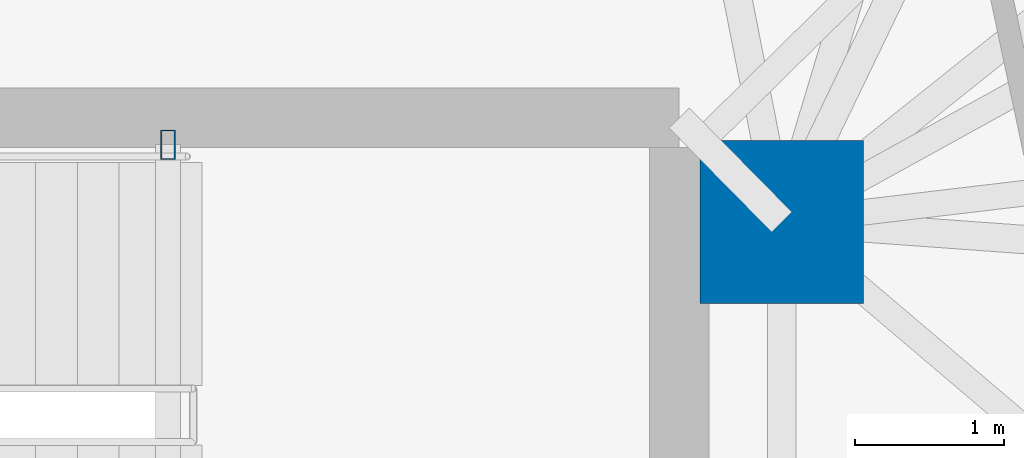
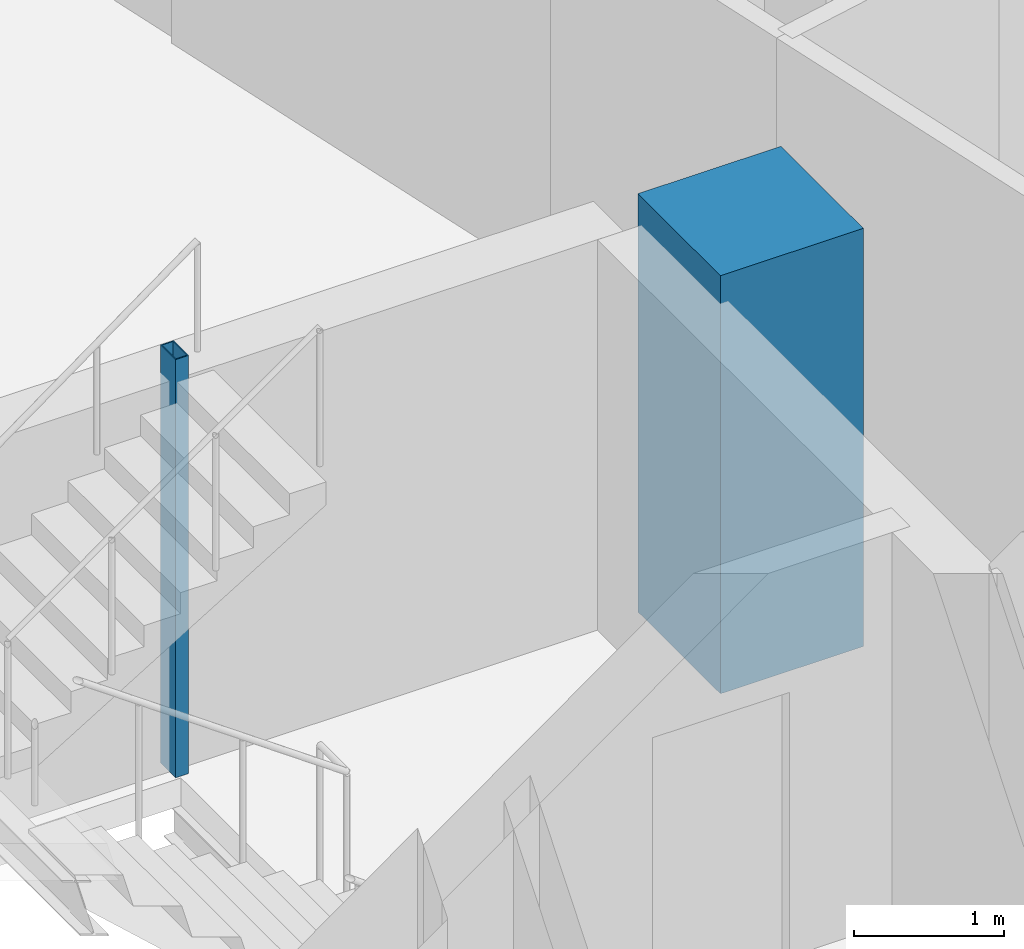
# One storey, part 4 of 19: 2 columns.
"""IFC4 building model written with IfcOpenShell, lengths in metres."""

from ifc_helpers import new_model, si_unit, direction, frame, origin, origin_2d, place, context, subcontext, project, spatial, rectangle, hollow_rectangle, extrude, material, material_profile, profile_set, type_object, element, save


model = new_model("IFC4")

# Units and contexts
model_context = context("Model", 3, precision=1e-05, world=origin(), true_north=direction((0.0, 1.0)))
body_context = subcontext(model_context, "Body", "Model", "MODEL_VIEW")
ifc_project = project(units=[si_unit("LENGTHUNIT", "METRE"), si_unit("AREAUNIT", "SQUARE_METRE"), si_unit("VOLUMEUNIT", "CUBIC_METRE"), si_unit("PLANEANGLEUNIT", "RADIAN"), si_unit("MASSUNIT", "GRAM", prefix="KILO")], contexts=[model_context])

# Site, building, storey
site_placement = place(None, origin())
site = spatial("IfcSite", under=ifc_project, at=site_placement, CompositionType="ELEMENT")
building_placement = place(site_placement, origin())
building = spatial("IfcBuilding", under=site, at=building_placement, Name="Menara Jurai Vektor", CompositionType="ELEMENT")
storey_placement = place(building_placement, frame((0.0, 0.0, 161.60009765625)))
storey = spatial("IfcBuildingStorey", under=building, at=storey_placement, Name="L41", CompositionType="ELEMENT", Elevation=161.60009765625)

# Columns
ifc_material_1 = material(Name="Concrete C50/60", Category="concrete")
ifc_material_profile_1 = material_profile(ifc_material_1, rectangle(XDim=1.10009765625, YDim=1.10009765625, at=origin_2d()), Name="RC 1100x1100")
ifc_profile_set_1 = profile_set([ifc_material_profile_1], Name="Concrete C50/60")
column_type_1 = type_object("IfcColumnType", Name="STR-COL-RC1100", PredefinedType="COLUMN", material=ifc_profile_set_1)
column_1_placement = place(storey_placement, frame((15.25, 4.89990234375, 0.0), z_axis=(0.0, 0.0, 1.0), x_axis=(1.0, 0.0, 0.0)))
element("IfcColumn", 1, at=column_1_placement, inside=storey, type_object=column_type_1, Name="Core Spine Column CE-NE L41", PredefinedType="COLUMN", context=body_context, shape_type="SweptSolid", body=[
    extrude(rectangle(XDim=1.10009765625, YDim=1.10009765625, at=origin_2d()), origin(), (0.0, 0.0, 1.0), 3.39990234375),
])
ifc_material_2 = material(Name="Steel S355", Category="steel")
ifc_material_profile_2 = material_profile(ifc_material_2, hollow_rectangle(XDim=0.10009765625, YDim=0.199951171875, WallThickness=0.008056640625, at=origin_2d()), Name="RHS 200x100x8")
ifc_profile_set_2 = profile_set([ifc_material_profile_2], Name="Steel S355")
column_type_2 = type_object("IfcColumnType", Name="STR-COL-STAIR", PredefinedType="COLUMN", material=ifc_profile_set_2)
column_2_placement = place(storey_placement, frame((11.1201171875, 5.419921875, 0.0), z_axis=(0.0, 0.0, 1.0), x_axis=(1.0, 0.0, 0.0)))
element("IfcColumn", 2, at=column_2_placement, inside=storey, type_object=column_type_2, Name="Stair Well Header Column ST2-P2 L41", PredefinedType="COLUMN", context=body_context, shape_type="SweptSolid", body=[
    extrude(hollow_rectangle(XDim=0.10009765625, YDim=0.199951171875, WallThickness=0.008056640625, at=origin_2d()), origin(), (0.0, 0.0, 1.0), 3.39990234375),
])

save(model, "model.ifc")
